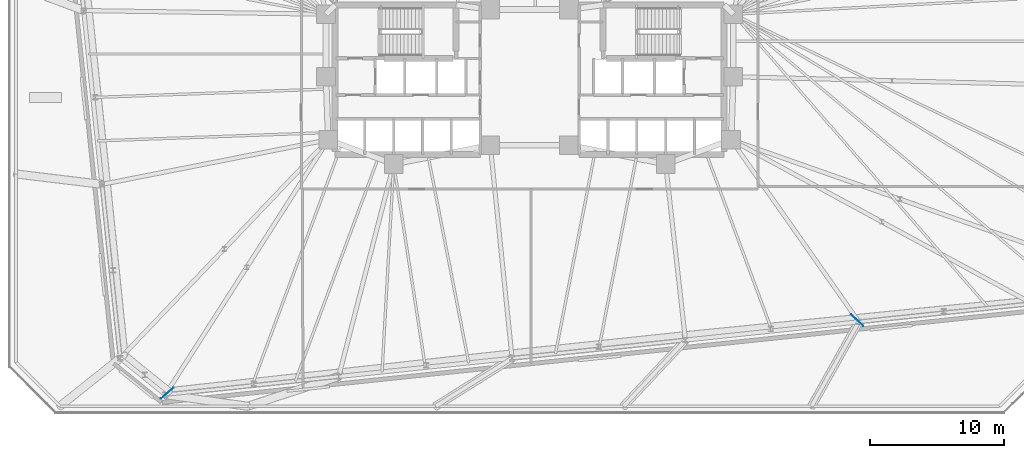
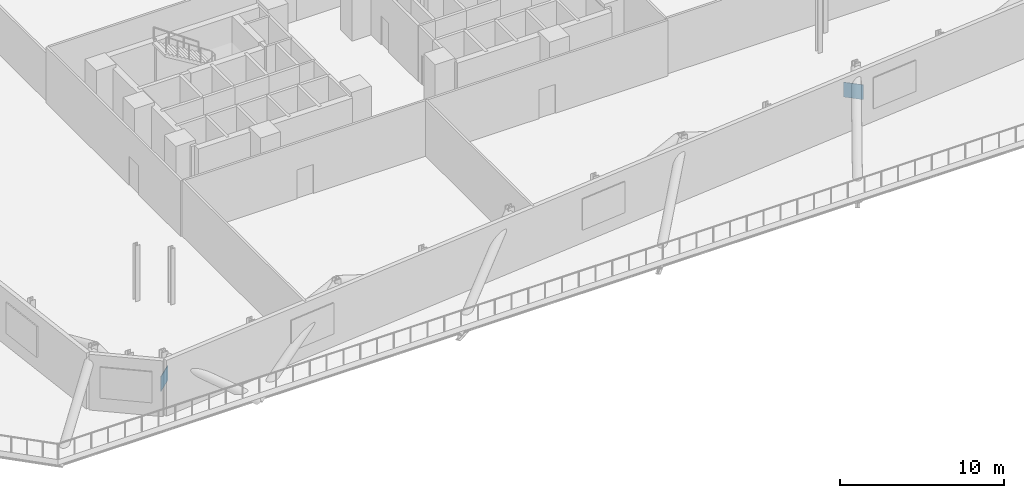
# One storey, part 12 of 17: 2 plates.
"""IFC4 building model written with IfcOpenShell, lengths in metres."""

from ifc_helpers import new_model, si_unit, direction, frame, origin, origin_2d, place, context, subcontext, project, spatial, rectangle, extrude, material, layer, layer_set, type_object, element, save


model = new_model("IFC4")

# Units and contexts
model_context = context("Model", 3, precision=1e-05, world=origin(), true_north=direction((0.0, 1.0)))
body_context = subcontext(model_context, "Body", "Model", "MODEL_VIEW")
ifc_project = project(units=[si_unit("LENGTHUNIT", "METRE"), si_unit("AREAUNIT", "SQUARE_METRE"), si_unit("VOLUMEUNIT", "CUBIC_METRE"), si_unit("PLANEANGLEUNIT", "RADIAN"), si_unit("MASSUNIT", "GRAM", prefix="KILO")], contexts=[model_context])

# Site, building, storey
site_placement = place(None, origin())
site = spatial("IfcSite", under=ifc_project, at=site_placement, CompositionType="ELEMENT")
building_placement = place(site_placement, origin())
building = spatial("IfcBuilding", under=site, at=building_placement, Name="Menara Jurai Vektor", CompositionType="ELEMENT")
storey_placement = place(building_placement, frame((0.0, 0.0, 78.800048828125)))
storey = spatial("IfcBuildingStorey", under=building, at=storey_placement, Name="L19", CompositionType="ELEMENT", Elevation=78.800048828125)

# Plates
ifc_material = material(Name="Steel S460", Category="steel")
ifc_layer = layer(ifc_material, 0.0400390625)
ifc_layer_set = layer_set([ifc_layer], Name="Steel S460")
plate_type = type_object("IfcPlateType", Name="STR-PLT-GUSSET40", PredefinedType="SHEET", material=ifc_layer_set)
for number, where, z_axis, x_axis, name in (
    (1, (-27.147705078125, -23.47509765625, 1.64990234375), (0.0, 0.0, 1.0), (0.756652821672, 0.653816876087, 0.0), "Transfer Truss Gusset Plate L19-01"),
    (2, (24.518310546875, -18.012939453125, 1.64990234375), (0.0, 0.0, 1.0), (-0.728729630997, 0.684801522272, 0.0), "Transfer Truss Gusset Plate L19-05"),
):
    element("IfcPlate", number, at=place(storey_placement, frame(where, z_axis=z_axis, x_axis=x_axis)), inside=storey, type_object=plate_type, Name=name, PredefinedType="SHEET", context=body_context, shape_type="SweptSolid", body=[
        extrude(rectangle(XDim=1.25, YDim=0.0400390625, at=origin_2d()), origin(), (0.0, 0.0, 1.0), 1.10009765625),
    ])

save(model, "model.ifc")
